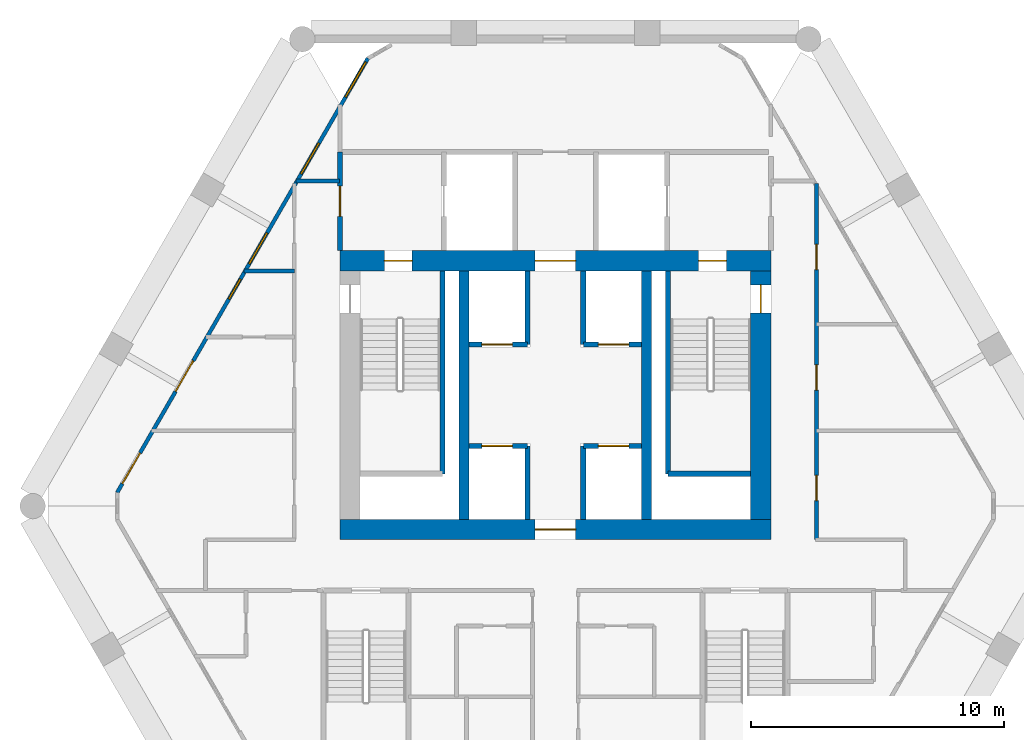
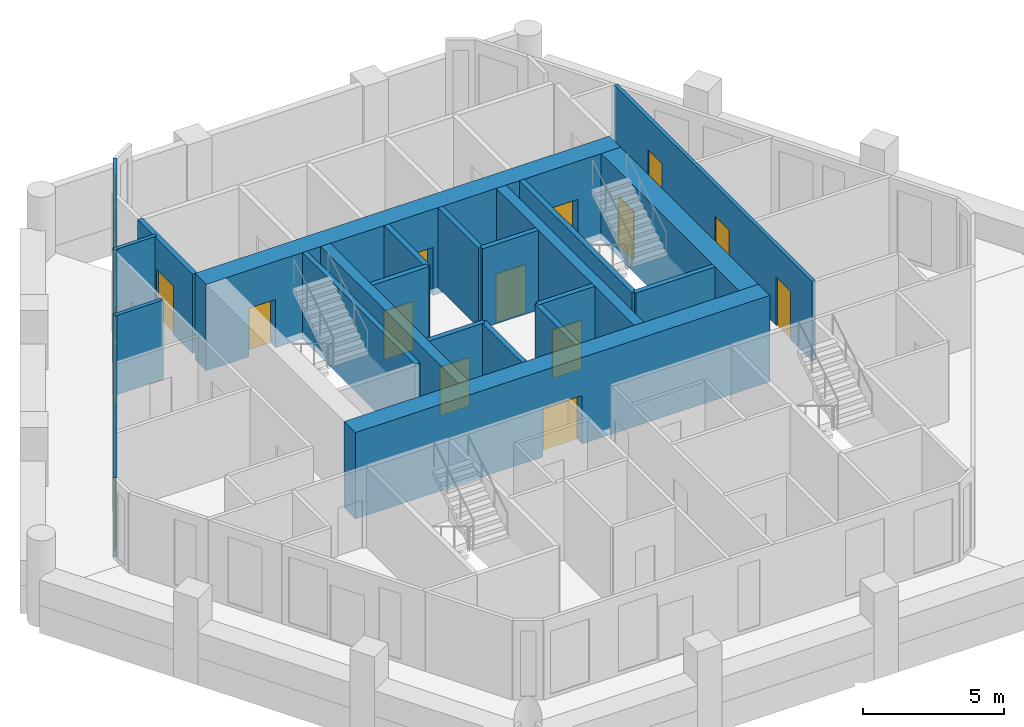
# One storey, part 4 of 7: 21 walls, 15 doors, 4 windows, 19 openings.
"""IFC4 building model written with IfcOpenShell, lengths in metres."""

from ifc_helpers import new_model, si_unit, direction, frame, frame_2d, origin, place, context, subcontext, project, spatial, rectangle, extrude, material, layer, layer_set, type_object, element, fill, save


model = new_model("IFC4")

# Units and contexts
model_context = context("Model", 3, precision=1e-05, world=origin(), true_north=direction((0.0, 1.0)))
body_context = subcontext(model_context, "Body", "Model", "MODEL_VIEW")
ifc_project = project(units=[si_unit("LENGTHUNIT", "METRE"), si_unit("AREAUNIT", "SQUARE_METRE"), si_unit("VOLUMEUNIT", "CUBIC_METRE"), si_unit("PLANEANGLEUNIT", "RADIAN"), si_unit("MASSUNIT", "GRAM", prefix="KILO")], contexts=[model_context])

# Site, building, storey
site_placement = place(None, origin())
site = spatial("IfcSite", under=ifc_project, at=site_placement, CompositionType="ELEMENT")
building_placement = place(site_placement, origin())
building = spatial("IfcBuilding", under=site, at=building_placement, Name="Ostrander Bayou Hotel Tower", CompositionType="ELEMENT")
storey_placement = place(building_placement, frame((0.0, 0.0, 168.25)))
storey = spatial("IfcBuildingStorey", under=building, at=storey_placement, Name="L41", CompositionType="ELEMENT", Elevation=168.25)

# Wall, opening, door
ifc_material_1 = material(Name="Concrete f'c 60 MPa", Category="concrete")
ifc_layer_1 = layer(ifc_material_1, 0.800048828125)
ifc_layer_set_1 = layer_set([ifc_layer_1], Name="CW7 core wall 800 mm f'c 60 MPa")
wall_type_1 = type_object("IfcWallType", Name="CW7 core wall 800 mm f'c 60 MPa", PredefinedType="SHEAR", material=ifc_layer_set_1)
wall_1_placement = place(storey_placement, frame((-8.5, -1.300048828125, -0.300048828125), z_axis=(0.0, 0.0, 1.0), x_axis=(1.0, 0.0, 0.0)))
wall_1 = element("IfcWall", 1, at=wall_1_placement, inside=storey, type_object=wall_type_1, Name="CW7 L41 S", PredefinedType="SHEAR", context=body_context, shape_type="SweptSolid", body=[
    extrude(rectangle(XDim=17.0, YDim=0.800048828125, at=frame_2d((8.5, 0.0))), origin(), (0.0, 0.0, 1.0), 3.75),
])
opening_1_placement = place(wall_1_placement, frame((7.699951171875, 0.0, 0.0)))
opening_1 = element("IfcOpeningElement", 2, at=opening_1_placement, cuts=wall_1, Name="Opening T41-005", PredefinedType="OPENING", context=body_context, shape_type="SweptSolid", body=[
    extrude(rectangle(XDim=1.60009765625, YDim=2.10009765625, at=frame_2d((0.800048828125, 1.050048828125))), frame((0.0, 0.39990234375, 0.0), z_axis=(0.0, -1.0, 0.0), x_axis=(1.0, 0.0, 0.0)), (0.0, 0.0, 1.0), 0.800048828125),
])
ifc_material_2 = material(Name="Timber door leaf", Category="wood")
door_type_1 = type_object("IfcDoorType", Name="D13 double door 1600 x 2100 mm, 1 hour", OperationType="SINGLE_SWING_LEFT", PredefinedType="DOOR", material=ifc_material_2)
door_1_placement = place(opening_1_placement, origin())
door_1 = element("IfcDoor", 3, at=door_1_placement, inside=storey, type_object=door_type_1, Name="dr:L41:005", OperationType="DOUBLE_DOOR_SINGLE_SWING", OverallHeight=2.10009765625, OverallWidth=1.60009765625, PredefinedType="DOOR", context=body_context, shape_type="SweptSolid", body=[
    extrude(rectangle(XDim=1.60009765625, YDim=2.10009765625, at=frame_2d((0.800048828125, 1.050048828125))), frame((0.0, 0.02490234375, 0.0), z_axis=(0.0, -1.0, 0.0), x_axis=(1.0, 0.0, 0.0)), (0.0, 0.0, 1.0), 0.050048828125),
])
fill(opening_1, door_1)

# Wall, openings, doors
wall_2_placement = place(storey_placement, frame((-8.5, 9.300048828125, -0.300048828125), z_axis=(0.0, 0.0, 1.0), x_axis=(1.0, 0.0, 0.0)))
wall_2 = element("IfcWall", 4, at=wall_2_placement, inside=storey, type_object=wall_type_1, Name="CW7 L41 N", PredefinedType="SHEAR", context=body_context, shape_type="SweptSolid", body=[
    extrude(rectangle(XDim=17.0, YDim=0.800048828125, at=frame_2d((8.5, 0.0))), origin(), (0.0, 0.0, 1.0), 3.75),
])
opening_2_placement = place(wall_2_placement, frame((7.699951171875, 0.0, 0.0)))
opening_2 = element("IfcOpeningElement", 5, at=opening_2_placement, cuts=wall_2, Name="Opening T41-006", PredefinedType="OPENING", context=body_context, shape_type="SweptSolid", body=[
    extrude(rectangle(XDim=1.60009765625, YDim=2.10009765625, at=frame_2d((0.800048828125, 1.050048828125))), frame((0.0, 0.39990234375, 0.0), z_axis=(0.0, -1.0, 0.0), x_axis=(1.0, 0.0, 0.0)), (0.0, 0.0, 1.0), 0.800048828125),
])
opening_3_placement = place(wall_2_placement, frame((1.75, 0.0, 0.0)))
opening_3 = element("IfcOpeningElement", 6, at=opening_3_placement, cuts=wall_2, Name="Opening T41-007", PredefinedType="OPENING", context=body_context, shape_type="SweptSolid", body=[
    extrude(rectangle(XDim=1.10009765625, YDim=2.10009765625, at=frame_2d((0.550048828125, 1.050048828125))), frame((0.0, 0.39990234375, 0.0), z_axis=(0.0, -1.0, 0.0), x_axis=(1.0, 0.0, 0.0)), (0.0, 0.0, 1.0), 0.800048828125),
])
opening_4_placement = place(wall_2_placement, frame((14.14990234375, 0.0, 0.0)))
opening_4 = element("IfcOpeningElement", 7, at=opening_4_placement, cuts=wall_2, Name="Opening T41-009", PredefinedType="OPENING", context=body_context, shape_type="SweptSolid", body=[
    extrude(rectangle(XDim=1.10009765625, YDim=2.10009765625, at=frame_2d((0.550048828125, 1.050048828125))), frame((0.0, 0.39990234375, 0.0), z_axis=(0.0, -1.0, 0.0), x_axis=(1.0, 0.0, 0.0)), (0.0, 0.0, 1.0), 0.800048828125),
])
door_2_placement = place(opening_2_placement, origin())
door_2 = element("IfcDoor", 8, at=door_2_placement, inside=storey, type_object=door_type_1, Name="dr:L41:006", OperationType="DOUBLE_DOOR_SINGLE_SWING", OverallHeight=2.10009765625, OverallWidth=1.60009765625, PredefinedType="DOOR", context=body_context, shape_type="SweptSolid", body=[
    extrude(rectangle(XDim=1.60009765625, YDim=2.10009765625, at=frame_2d((0.800048828125, 1.050048828125))), frame((0.0, 0.02490234375, 0.0), z_axis=(0.0, -1.0, 0.0), x_axis=(1.0, 0.0, 0.0)), (0.0, 0.0, 1.0), 0.050048828125),
])
fill(opening_2, door_2)
ifc_material_3 = material(Name="Timber door leaf", Category="wood")
door_type_2 = type_object("IfcDoorType", Name="D5 stair door 1100 x 2100 mm, 90 minute", OperationType="SINGLE_SWING_LEFT", PredefinedType="DOOR", material=ifc_material_3)
door_3_placement = place(opening_3_placement, origin())
door_3 = element("IfcDoor", 9, at=door_3_placement, inside=storey, type_object=door_type_2, Name="dr:L41:007", OperationType="SINGLE_SWING_LEFT", OverallHeight=2.10009765625, OverallWidth=1.10009765625, PredefinedType="DOOR", context=body_context, shape_type="SweptSolid", body=[
    extrude(rectangle(XDim=1.10009765625, YDim=2.10009765625, at=frame_2d((0.550048828125, 1.050048828125))), frame((0.0, 0.02490234375, 0.0), z_axis=(0.0, -1.0, 0.0), x_axis=(1.0, 0.0, 0.0)), (0.0, 0.0, 1.0), 0.050048828125),
])
fill(opening_3, door_3)
door_4_placement = place(opening_4_placement, origin())
door_4 = element("IfcDoor", 10, at=door_4_placement, inside=storey, type_object=door_type_2, Name="dr:L41:009", OperationType="SINGLE_SWING_RIGHT", OverallHeight=2.10009765625, OverallWidth=1.10009765625, PredefinedType="DOOR", context=body_context, shape_type="SweptSolid", body=[
    extrude(rectangle(XDim=1.10009765625, YDim=2.10009765625, at=frame_2d((0.550048828125, 1.050048828125))), frame((0.0, 0.02490234375, 0.0), z_axis=(0.0, -1.0, 0.0), x_axis=(1.0, 0.0, 0.0)), (0.0, 0.0, 1.0), 0.050048828125),
])
fill(opening_4, door_4)

# Wall, opening, door
ifc_material_4 = material(Name="Concrete f'c 60 MPa", Category="concrete")
ifc_layer_2 = layer(ifc_material_4, 0.800048828125)
ifc_layer_set_2 = layer_set([ifc_layer_2], Name="CW8 core spine wall 800 mm f'c 60 MPa")
wall_type_2 = type_object("IfcWallType", Name="CW8 core spine wall 800 mm f'c 60 MPa", PredefinedType="SHEAR", material=ifc_layer_set_2)
wall_3_placement = place(storey_placement, frame((8.10009765625, -0.89990234375, -0.300048828125), z_axis=(0.0, 0.0, 1.0), x_axis=(0.0, 1.0, 0.0)))
wall_3 = element("IfcWall", 11, at=wall_3_placement, inside=storey, type_object=wall_type_2, Name="CW8 L41 E", PredefinedType="SHEAR", context=body_context, shape_type="SweptSolid", body=[
    extrude(rectangle(XDim=9.7998046875, YDim=0.800048828125, at=frame_2d((4.89990234375, 0.0))), origin(), (0.0, 0.0, 1.0), 3.75),
])
opening_5_placement = place(wall_3_placement, frame((8.14990234375, 0.0, 0.0)))
opening_5 = element("IfcOpeningElement", 12, at=opening_5_placement, cuts=wall_3, Name="Opening T41-010", PredefinedType="OPENING", context=body_context, shape_type="SweptSolid", body=[
    extrude(rectangle(XDim=1.10009765625, YDim=2.10009765625, at=frame_2d((0.550048828125, 1.050048828125))), frame((0.0, 0.39990234375, 0.0), z_axis=(0.0, -1.0, 0.0), x_axis=(1.0, 0.0, 0.0)), (0.0, 0.0, 1.0), 0.800048828125),
])
door_5_placement = place(opening_5_placement, origin())
door_5 = element("IfcDoor", 13, at=door_5_placement, inside=storey, type_object=door_type_2, Name="dr:L41:010", OperationType="SINGLE_SWING_LEFT", OverallHeight=2.10009765625, OverallWidth=1.10009765625, PredefinedType="DOOR", context=body_context, shape_type="SweptSolid", body=[
    extrude(rectangle(XDim=1.10009765625, YDim=2.10009765625, at=frame_2d((0.550048828125, 1.050048828125))), frame((0.0, 0.02490234375, 0.0), z_axis=(0.0, -1.0, 0.0), x_axis=(1.0, 0.0, 0.0)), (0.0, 0.0, 1.0), 0.050048828125),
])
fill(opening_5, door_5)

# Walls
ifc_material_5 = material(Name="Concrete f'c 60 MPa", Category="concrete")
ifc_layer_3 = layer(ifc_material_5, 0.39990234375)
ifc_layer_set_3 = layer_set([ifc_layer_3], Name="CW9 core bank wall 400 mm f'c 60 MPa")
wall_type_3 = type_object("IfcWallType", Name="CW9 core bank wall 400 mm f'c 60 MPa", PredefinedType="SHEAR", material=ifc_layer_set_3)
for number, where, z_axis, x_axis, name in (
    (14, (-3.60009765625, -0.89990234375, -0.300048828125), (0.0, 0.0, 1.0), (0.0, 1.0, 0.0), "CW9 L41 CW"),
    (15, (3.60009765625, -0.89990234375, -0.300048828125), (0.0, 0.0, 1.0), (0.0, 1.0, 0.0), "CW9 L41 CE"),
):
    element("IfcWall", number, at=place(storey_placement, frame(where, z_axis=z_axis, x_axis=x_axis)), inside=storey, type_object=wall_type_3, Name=name, PredefinedType="SHEAR", context=body_context, shape_type="SweptSolid", body=[
        extrude(rectangle(XDim=9.7998046875, YDim=0.39990234375, at=frame_2d((4.89990234375, 0.0))), origin(), (0.0, 0.0, 1.0), 3.75),
    ])

# Wall, openings, doors, windows
ifc_material_6 = material(Name="Aluminium framed insulated wall", Category="aluminium")
ifc_layer_4 = layer(ifc_material_6, 0.14990234375)
ifc_layer_set_4 = layer_set([ifc_layer_4], Name="GW1 glass-line wall 150 mm")
wall_type_4 = type_object("IfcWallType", Name="GW1 glass-line wall 150 mm", PredefinedType="SOLIDWALL", material=ifc_layer_set_4)
wall_4_placement = place(storey_placement, frame((-7.392822265625, 17.29248046875, 0.0), z_axis=(0.0, 0.0, 1.0), x_axis=(-0.500001917853, -0.866024296509, 0.0)))
wall_4 = element("IfcWall", 16, at=wall_4_placement, inside=storey, type_object=wall_type_4, Name="GW1 L41 NW 1", PredefinedType="SOLIDWALL", context=body_context, shape_type="SweptSolid", body=[
    extrude(rectangle(XDim=19.78759765625, YDim=0.14990234375, at=frame_2d((9.893798828125, 0.0))), origin(), (0.0, 0.0, 1.0), 3.449951171875),
])
opening_6_placement = place(wall_4_placement, frame((3.867919921875, 0.0, 0.14990234375)))
opening_6 = element("IfcOpeningElement", 17, at=opening_6_placement, cuts=wall_4, Name="Opening W13", PredefinedType="OPENING", context=body_context, shape_type="SweptSolid", body=[
    extrude(rectangle(XDim=1.39990234375, YDim=2.85009765625, at=frame_2d((0.699951171875, 1.425048828125))), frame((0.0, 0.074951171875, 0.0), z_axis=(0.0, -1.0, 0.0), x_axis=(1.0, 0.0, 0.0)), (0.0, 0.0, 1.0), 0.14990234375),
])
opening_7_placement = place(wall_4_placement, frame((10.066650390625, 0.0, 0.14990234375)))
opening_7 = element("IfcOpeningElement", 18, at=opening_7_placement, cuts=wall_4, Name="Opening W17", PredefinedType="OPENING", context=body_context, shape_type="SweptSolid", body=[
    extrude(rectangle(XDim=0.89990234375, YDim=2.85009765625, at=frame_2d((0.449951171875, 1.425048828125))), frame((0.0, 0.074951171875, 0.0), z_axis=(0.0, -1.0, 0.0), x_axis=(1.0, 0.0, 0.0)), (0.0, 0.0, 1.0), 0.14990234375),
])
opening_8_placement = place(wall_4_placement, frame((7.966796875, 0.0, 0.14990234375)))
opening_8 = element("IfcOpeningElement", 19, at=opening_8_placement, cuts=wall_4, Name="Opening W13", PredefinedType="OPENING", context=body_context, shape_type="SweptSolid", body=[
    extrude(rectangle(XDim=1.39990234375, YDim=2.85009765625, at=frame_2d((0.699951171875, 1.425048828125))), frame((0.0, 0.074951171875, 0.0), z_axis=(0.0, -1.0, 0.0), x_axis=(1.0, 0.0, 0.0)), (0.0, 0.0, 1.0), 0.14990234375),
])
opening_9_placement = place(wall_4_placement, frame((13.779296875, 0.0, 0.0)))
opening_9 = element("IfcOpeningElement", 20, at=opening_9_placement, cuts=wall_4, Name="Opening T41-800", PredefinedType="OPENING", context=body_context, shape_type="SweptSolid", body=[
    extrude(rectangle(XDim=1.39990234375, YDim=2.39990234375, at=frame_2d((0.699951171875, 1.199951171875))), frame((0.0, 0.074951171875, 0.0), z_axis=(0.0, -1.0, 0.0), x_axis=(1.0, 0.0, 0.0)), (0.0, 0.0, 1.0), 0.14990234375),
])
opening_10_placement = place(wall_4_placement, frame((17.979248046875, 0.0, 0.0)))
opening_10 = element("IfcOpeningElement", 21, at=opening_10_placement, cuts=wall_4, Name="Opening T41-801", PredefinedType="OPENING", context=body_context, shape_type="SweptSolid", body=[
    extrude(rectangle(XDim=1.39990234375, YDim=2.39990234375, at=frame_2d((0.699951171875, 1.199951171875))), frame((0.0, 0.074951171875, 0.0), z_axis=(0.0, -1.0, 0.0), x_axis=(1.0, 0.0, 0.0)), (0.0, 0.0, 1.0), 0.14990234375),
])
opening_11_placement = place(wall_4_placement, frame((0.168212890625, 0.0, 0.14990234375)))
opening_11 = element("IfcOpeningElement", 22, at=opening_11_placement, cuts=wall_4, Name="Opening W3", PredefinedType="OPENING", context=body_context, shape_type="SweptSolid", body=[
    extrude(rectangle(XDim=1.60009765625, YDim=2.72998046875, at=frame_2d((0.800048828125, 1.364990234375))), frame((0.0, 0.074951171875, 0.0), z_axis=(0.0, -1.0, 0.0), x_axis=(1.0, 0.0, 0.0)), (0.0, 0.0, 1.0), 0.14990234375),
])
ifc_material_7 = material(Name="Aluminium and clear glass", Category="aluminium")
door_type_3 = type_object("IfcDoorType", Name="SD3 sliding glass door 1400 mm, zone 3", OperationType="SLIDING_TO_LEFT", PredefinedType="DOOR", material=ifc_material_7)
door_6_placement = place(opening_9_placement, origin())
door_6 = element("IfcDoor", 23, at=door_6_placement, inside=storey, type_object=door_type_3, Name="SD3 L41 NW 3", OperationType="SLIDING_TO_LEFT", OverallHeight=2.39990234375, OverallWidth=1.39990234375, PredefinedType="DOOR", context=body_context, shape_type="SweptSolid", body=[
    extrude(rectangle(XDim=1.39990234375, YDim=2.39990234375, at=frame_2d((0.699951171875, 1.199951171875))), frame((0.0, 0.02490234375, 0.0), z_axis=(0.0, -1.0, 0.0), x_axis=(1.0, 0.0, 0.0)), (0.0, 0.0, 1.0), 0.050048828125),
])
fill(opening_9, door_6)
door_7_placement = place(opening_10_placement, origin())
door_7 = element("IfcDoor", 24, at=door_7_placement, inside=storey, type_object=door_type_3, Name="SD3 L41 NW 4", OperationType="SLIDING_TO_RIGHT", OverallHeight=2.39990234375, OverallWidth=1.39990234375, PredefinedType="DOOR", context=body_context, shape_type="SweptSolid", body=[
    extrude(rectangle(XDim=1.39990234375, YDim=2.39990234375, at=frame_2d((0.699951171875, 1.199951171875))), frame((0.0, 0.02490234375, 0.0), z_axis=(0.0, -1.0, 0.0), x_axis=(1.0, 0.0, 0.0)), (0.0, 0.0, 1.0), 0.050048828125),
])
fill(opening_10, door_7)
ifc_material_8 = material(Name="Aluminium and clear glass", Category="aluminium")
window_type_1 = type_object("IfcWindowType", Name="W13 fixed window 1400 mm, bath bay, zone 3", PartitioningType="SINGLE_PANEL", PredefinedType="WINDOW", material=ifc_material_8)
window_1_placement = place(opening_6_placement, origin())
window_1 = element("IfcWindow", 25, at=window_1_placement, inside=storey, type_object=window_type_1, Name="W13 L41 NW 1", OverallHeight=2.85009765625, OverallWidth=1.39990234375, PartitioningType="SINGLE_PANEL", PredefinedType="WINDOW", context=body_context, shape_type="SweptSolid", body=[
    extrude(rectangle(XDim=1.39990234375, YDim=2.85009765625, at=frame_2d((0.699951171875, 1.425048828125))), frame((0.0, 0.030029296875, 0.0), z_axis=(0.0, -1.0, 0.0), x_axis=(1.0, 0.0, 0.0)), (0.0, 0.0, 1.0), 0.06005859375),
])
fill(opening_6, window_1)
window_2_placement = place(opening_8_placement, origin())
window_2 = element("IfcWindow", 26, at=window_2_placement, inside=storey, type_object=window_type_1, Name="W13 L41 NW 2", OverallHeight=2.85009765625, OverallWidth=1.39990234375, PartitioningType="SINGLE_PANEL", PredefinedType="WINDOW", context=body_context, shape_type="SweptSolid", body=[
    extrude(rectangle(XDim=1.39990234375, YDim=2.85009765625, at=frame_2d((0.699951171875, 1.425048828125))), frame((0.0, 0.030029296875, 0.0), z_axis=(0.0, -1.0, 0.0), x_axis=(1.0, 0.0, 0.0)), (0.0, 0.0, 1.0), 0.06005859375),
])
fill(opening_8, window_2)
ifc_material_9 = material(Name="Aluminium and clear glass", Category="aluminium")
window_type_2 = type_object("IfcWindowType", Name="W17 window 900 mm, zone 3", PartitioningType="SINGLE_PANEL", PredefinedType="WINDOW", material=ifc_material_9)
window_3_placement = place(opening_7_placement, origin())
window_3 = element("IfcWindow", 27, at=window_3_placement, inside=storey, type_object=window_type_2, Name="W17 L41 NW 2", OverallHeight=2.85009765625, OverallWidth=0.89990234375, PartitioningType="SINGLE_PANEL", PredefinedType="WINDOW", context=body_context, shape_type="SweptSolid", body=[
    extrude(rectangle(XDim=0.89990234375, YDim=2.85009765625, at=frame_2d((0.449951171875, 1.425048828125))), frame((0.0, 0.030029296875, 0.0), z_axis=(0.0, -1.0, 0.0), x_axis=(1.0, 0.0, 0.0)), (0.0, 0.0, 1.0), 0.06005859375),
])
fill(opening_7, window_3)
ifc_material_10 = material(Name="Aluminium and clear glass", Category="aluminium")
window_type_3 = type_object("IfcWindowType", Name="W3 fixed window 1600 mm, zone 3", PartitioningType="SINGLE_PANEL", PredefinedType="WINDOW", material=ifc_material_10)
window_4_placement = place(opening_11_placement, origin())
window_4 = element("IfcWindow", 28, at=window_4_placement, inside=storey, type_object=window_type_3, Name="W3 L41 NW E11", OverallHeight=2.72998046875, OverallWidth=1.60009765625, PartitioningType="SINGLE_PANEL", PredefinedType="WINDOW", context=body_context, shape_type="SweptSolid", body=[
    extrude(rectangle(XDim=1.60009765625, YDim=2.72998046875, at=frame_2d((0.800048828125, 1.364990234375))), frame((0.0, 0.030029296875, 0.0), z_axis=(0.0, -1.0, 0.0), x_axis=(1.0, 0.0, 0.0)), (0.0, 0.0, 1.0), 0.06005859375),
])
fill(opening_11, window_4)

# Wall, opening, door
ifc_material_11 = material(Name="Masonry block", Category="masonry")
ifc_layer_5 = layer(ifc_material_11, 0.199951171875)
ifc_layer_set_5 = layer_set([ifc_layer_5], Name="PT5 stair enclosure wall 200 mm masonry, 2 hour")
wall_type_5 = type_object("IfcWallType", Name="PT5 stair enclosure wall 200 mm masonry, 2 hour", PredefinedType="PARTITIONING", material=ifc_layer_set_5)
wall_5_placement = place(storey_placement, frame((-8.5, 9.699951171875, 0.0), z_axis=(0.0, 0.0, 1.0), x_axis=(0.0, 1.0, 0.0)))
wall_5 = element("IfcWall", 29, at=wall_5_placement, inside=storey, type_object=wall_type_5, Name="cs:L41:024", PredefinedType="PARTITIONING", context=body_context, shape_type="SweptSolid", body=[
    extrude(rectangle(XDim=3.900146484375, YDim=0.199951171875, at=frame_2d((1.9501953125, 0.0))), origin(), (0.0, 0.0, 1.0), 3.449951171875),
])
opening_12_placement = place(wall_5_placement, frame((1.35009765625, 0.0, 0.0)))
opening_12 = element("IfcOpeningElement", 30, at=opening_12_placement, cuts=wall_5, Name="Opening T41-014", PredefinedType="OPENING", context=body_context, shape_type="SweptSolid", body=[
    extrude(rectangle(XDim=1.199951171875, YDim=2.10009765625, at=frame_2d((0.60009765625, 1.050048828125))), frame((0.0, 0.10009765625, 0.0), z_axis=(0.0, -1.0, 0.0), x_axis=(1.0, 0.0, 0.0)), (0.0, 0.0, 1.0), 0.199951171875),
])
ifc_material_12 = material(Name="Timber door leaf", Category="wood")
door_type_4 = type_object("IfcDoorType", Name="D7 lobby door 1200 x 2100 mm, 1 hour", OperationType="SINGLE_SWING_LEFT", PredefinedType="DOOR", material=ifc_material_12)
door_8_placement = place(opening_12_placement, origin())
door_8 = element("IfcDoor", 31, at=door_8_placement, inside=storey, type_object=door_type_4, Name="dr:L41:014", OperationType="SINGLE_SWING_LEFT", OverallHeight=2.10009765625, OverallWidth=1.199951171875, PredefinedType="DOOR", context=body_context, shape_type="SweptSolid", body=[
    extrude(rectangle(XDim=1.199951171875, YDim=2.10009765625, at=frame_2d((0.60009765625, 1.050048828125))), frame((0.0, 0.02490234375, 0.0), z_axis=(0.0, -1.0, 0.0), x_axis=(1.0, 0.0, 0.0)), (0.0, 0.0, 1.0), 0.050048828125),
])
fill(opening_12, door_8)

ifc_material_13 = material(Name="Masonry block", Category="masonry")
ifc_layer_6 = layer(ifc_material_13, 0.199951171875)
ifc_layer_set_6 = layer_set([ifc_layer_6], Name="PT6 lift shaft wall 200 mm masonry, 2 hour")
wall_type_6 = type_object("IfcWallType", Name="PT6 lift shaft wall 200 mm masonry, 2 hour", PredefinedType="PARTITIONING", material=ifc_layer_set_6)
wall_6_placement = place(storey_placement, frame((-3.39990234375, 2.0, 0.0), z_axis=(0.0, 0.0, 1.0), x_axis=(1.0, 0.0, 0.0)))
wall_6 = element("IfcWall", 32, at=wall_6_placement, inside=storey, type_object=wall_type_6, Name="cs:L41:001", PredefinedType="PARTITIONING", context=body_context, shape_type="SweptSolid", body=[
    extrude(rectangle(XDim=2.2998046875, YDim=0.199951171875, at=frame_2d((1.14990234375, 0.0))), origin(), (0.0, 0.0, 1.0), 3.449951171875),
])
opening_13_placement = place(wall_6_placement, frame((0.5, 0.0, 0.0)))
opening_13 = element("IfcOpeningElement", 33, at=opening_13_placement, cuts=wall_6, Name="Opening T41-001", PredefinedType="OPENING", context=body_context, shape_type="SweptSolid", body=[
    extrude(rectangle(XDim=1.199951171875, YDim=2.10009765625, at=frame_2d((0.60009765625, 1.050048828125))), frame((0.0, 0.10009765625, 0.0), z_axis=(0.0, -1.0, 0.0), x_axis=(1.0, 0.0, 0.0)), (0.0, 0.0, 1.0), 0.199951171875),
])
ifc_material_14 = material(Name="Stainless steel sliding door", Category="steel")
door_type_5 = type_object("IfcDoorType", Name="LD1 lift landing door 1200 x 2100 mm", OperationType="SINGLE_SWING_LEFT", PredefinedType="DOOR", material=ifc_material_14)
door_9_placement = place(opening_13_placement, origin())
door_9 = element("IfcDoor", 34, at=door_9_placement, inside=storey, type_object=door_type_5, Name="dr:L41:001", OperationType="SLIDING_TO_LEFT", OverallHeight=2.10009765625, OverallWidth=1.199951171875, PredefinedType="DOOR", context=body_context, shape_type="SweptSolid", body=[
    extrude(rectangle(XDim=1.199951171875, YDim=2.10009765625, at=frame_2d((0.60009765625, 1.050048828125))), frame((0.0, 0.02490234375, 0.0), z_axis=(0.0, -1.0, 0.0), x_axis=(1.0, 0.0, 0.0)), (0.0, 0.0, 1.0), 0.050048828125),
])
fill(opening_13, door_9)

wall_7_placement = place(storey_placement, frame((-3.39990234375, 6.0, 0.0), z_axis=(0.0, 0.0, 1.0), x_axis=(1.0, 0.0, 0.0)))
wall_7 = element("IfcWall", 35, at=wall_7_placement, inside=storey, type_object=wall_type_6, Name="cs:L41:002", PredefinedType="PARTITIONING", context=body_context, shape_type="SweptSolid", body=[
    extrude(rectangle(XDim=2.2998046875, YDim=0.199951171875, at=frame_2d((1.14990234375, 0.0))), origin(), (0.0, 0.0, 1.0), 3.449951171875),
])
opening_14_placement = place(wall_7_placement, frame((0.5, 0.0, 0.0)))
opening_14 = element("IfcOpeningElement", 36, at=opening_14_placement, cuts=wall_7, Name="Opening T41-003", PredefinedType="OPENING", context=body_context, shape_type="SweptSolid", body=[
    extrude(rectangle(XDim=1.199951171875, YDim=2.10009765625, at=frame_2d((0.60009765625, 1.050048828125))), frame((0.0, 0.10009765625, 0.0), z_axis=(0.0, -1.0, 0.0), x_axis=(1.0, 0.0, 0.0)), (0.0, 0.0, 1.0), 0.199951171875),
])
door_10_placement = place(opening_14_placement, origin())
door_10 = element("IfcDoor", 37, at=door_10_placement, inside=storey, type_object=door_type_5, Name="dr:L41:003", OperationType="SLIDING_TO_LEFT", OverallHeight=2.10009765625, OverallWidth=1.199951171875, PredefinedType="DOOR", context=body_context, shape_type="SweptSolid", body=[
    extrude(rectangle(XDim=1.199951171875, YDim=2.10009765625, at=frame_2d((0.60009765625, 1.050048828125))), frame((0.0, 0.02490234375, 0.0), z_axis=(0.0, -1.0, 0.0), x_axis=(1.0, 0.0, 0.0)), (0.0, 0.0, 1.0), 0.050048828125),
])
fill(opening_14, door_10)

wall_8_placement = place(storey_placement, frame((1.10009765625, 2.0, 0.0), z_axis=(0.0, 0.0, 1.0), x_axis=(1.0, 0.0, 0.0)))
wall_8 = element("IfcWall", 38, at=wall_8_placement, inside=storey, type_object=wall_type_6, Name="cs:L41:003", PredefinedType="PARTITIONING", context=body_context, shape_type="SweptSolid", body=[
    extrude(rectangle(XDim=2.2998046875, YDim=0.199951171875, at=frame_2d((1.14990234375, 0.0))), origin(), (0.0, 0.0, 1.0), 3.449951171875),
])
opening_15_placement = place(wall_8_placement, frame((0.60009765625, 0.0, 0.0)))
opening_15 = element("IfcOpeningElement", 39, at=opening_15_placement, cuts=wall_8, Name="Opening T41-002", PredefinedType="OPENING", context=body_context, shape_type="SweptSolid", body=[
    extrude(rectangle(XDim=1.199951171875, YDim=2.10009765625, at=frame_2d((0.60009765625, 1.050048828125))), frame((0.0, 0.10009765625, 0.0), z_axis=(0.0, -1.0, 0.0), x_axis=(1.0, 0.0, 0.0)), (0.0, 0.0, 1.0), 0.199951171875),
])
door_11_placement = place(opening_15_placement, origin())
door_11 = element("IfcDoor", 40, at=door_11_placement, inside=storey, type_object=door_type_5, Name="dr:L41:002", OperationType="SLIDING_TO_LEFT", OverallHeight=2.10009765625, OverallWidth=1.199951171875, PredefinedType="DOOR", context=body_context, shape_type="SweptSolid", body=[
    extrude(rectangle(XDim=1.199951171875, YDim=2.10009765625, at=frame_2d((0.60009765625, 1.050048828125))), frame((0.0, 0.02490234375, 0.0), z_axis=(0.0, -1.0, 0.0), x_axis=(1.0, 0.0, 0.0)), (0.0, 0.0, 1.0), 0.050048828125),
])
fill(opening_15, door_11)

wall_9_placement = place(storey_placement, frame((1.10009765625, 6.0, 0.0), z_axis=(0.0, 0.0, 1.0), x_axis=(1.0, 0.0, 0.0)))
wall_9 = element("IfcWall", 41, at=wall_9_placement, inside=storey, type_object=wall_type_6, Name="cs:L41:004", PredefinedType="PARTITIONING", context=body_context, shape_type="SweptSolid", body=[
    extrude(rectangle(XDim=2.2998046875, YDim=0.199951171875, at=frame_2d((1.14990234375, 0.0))), origin(), (0.0, 0.0, 1.0), 3.449951171875),
])
opening_16_placement = place(wall_9_placement, frame((0.60009765625, 0.0, 0.0)))
opening_16 = element("IfcOpeningElement", 42, at=opening_16_placement, cuts=wall_9, Name="Opening T41-004", PredefinedType="OPENING", context=body_context, shape_type="SweptSolid", body=[
    extrude(rectangle(XDim=1.199951171875, YDim=2.10009765625, at=frame_2d((0.60009765625, 1.050048828125))), frame((0.0, 0.10009765625, 0.0), z_axis=(0.0, -1.0, 0.0), x_axis=(1.0, 0.0, 0.0)), (0.0, 0.0, 1.0), 0.199951171875),
])
door_12_placement = place(opening_16_placement, origin())
door_12 = element("IfcDoor", 43, at=door_12_placement, inside=storey, type_object=door_type_5, Name="dr:L41:004", OperationType="SLIDING_TO_LEFT", OverallHeight=2.10009765625, OverallWidth=1.199951171875, PredefinedType="DOOR", context=body_context, shape_type="SweptSolid", body=[
    extrude(rectangle(XDim=1.199951171875, YDim=2.10009765625, at=frame_2d((0.60009765625, 1.050048828125))), frame((0.0, 0.02490234375, 0.0), z_axis=(0.0, -1.0, 0.0), x_axis=(1.0, 0.0, 0.0)), (0.0, 0.0, 1.0), 0.050048828125),
])
fill(opening_16, door_12)

# Walls
for number, where, z_axis, x_axis, name in (
    (44, (-1.10009765625, -0.89990234375, 0.0), (0.0, 0.0, 1.0), (0.0, 1.0, 0.0), "cs:L41:005"),
    (45, (1.10009765625, -0.89990234375, 0.0), (0.0, 0.0, 1.0), (0.0, 1.0, 0.0), "cs:L41:006"),
    (46, (-1.10009765625, 6.0, 0.0), (0.0, 0.0, 1.0), (0.0, 1.0, 0.0), "cs:L41:007"),
    (47, (1.10009765625, 6.0, 0.0), (0.0, 0.0, 1.0), (0.0, 1.0, 0.0), "cs:L41:008"),
):
    element("IfcWall", number, at=place(storey_placement, frame(where, z_axis=z_axis, x_axis=x_axis)), inside=storey, type_object=wall_type_6, Name=name, PredefinedType="PARTITIONING", context=body_context, shape_type="SweptSolid", body=[
        extrude(rectangle(XDim=2.89990234375, YDim=0.199951171875, at=frame_2d((1.449951171875, 0.0))), origin(), (0.0, 0.0, 1.0), 3.449951171875),
    ])
ifc_material_15 = material(Name="Gypsum board partition", Category="finish")
ifc_layer_7 = layer(ifc_material_15, 0.14990234375)
ifc_layer_set_7 = layer_set([ifc_layer_7], Name="PT8 service band wall 150 mm, 1 hour")
wall_type_7 = type_object("IfcWallType", Name="PT8 service band wall 150 mm, 1 hour", PredefinedType="PARTITIONING", material=ifc_layer_set_7)
wall_10_placement = place(storey_placement, frame((-12.2900390625, 8.89990234375, 0.0), z_axis=(0.0, 0.0, 1.0), x_axis=(1.0, 0.0, 0.0)))
element("IfcWall", 48, at=wall_10_placement, inside=storey, type_object=wall_type_7, Name="gw:L41:020", PredefinedType="PARTITIONING", context=body_context, shape_type="SweptSolid", body=[
    extrude(rectangle(XDim=1.989990234375, YDim=0.14990234375, at=frame_2d((0.9951171875, 0.0))), origin(), (0.0, 0.0, 1.0), 3.449951171875),
])
wall_11_placement = place(storey_placement, frame((-10.240966796875, 12.449951171875, 0.0), z_axis=(0.0, 0.0, 1.0), x_axis=(1.0, 0.0, 0.0)))
element("IfcWall", 49, at=wall_11_placement, inside=storey, type_object=wall_type_7, Name="gw:L41:021", PredefinedType="PARTITIONING", context=body_context, shape_type="SweptSolid", body=[
    extrude(rectangle(XDim=1.73095703125, YDim=0.14990234375, at=frame_2d((0.865478515625, 0.0))), origin(), (0.0, 0.0, 1.0), 3.449951171875),
])

# Wall, openings, doors
wall_12_placement = place(storey_placement, frame((10.300048828125, -1.699951171875, 0.0), z_axis=(0.0, 0.0, 1.0), x_axis=(0.0, 1.0, 0.0)))
wall_12 = element("IfcWall", 50, at=wall_12_placement, inside=storey, type_object=wall_type_7, Name="gw:L41:025", PredefinedType="PARTITIONING", context=body_context, shape_type="SweptSolid", body=[
    extrude(rectangle(XDim=14.046875, YDim=0.14990234375, at=frame_2d((7.0234375, 0.0))), origin(), (0.0, 0.0, 1.0), 3.449951171875),
])
opening_17_placement = place(wall_12_placement, frame((1.535888671875, 0.0, 0.0)))
opening_17 = element("IfcOpeningElement", 51, at=opening_17_placement, cuts=wall_12, Name="Opening T41-416", PredefinedType="OPENING", context=body_context, shape_type="SweptSolid", body=[
    extrude(rectangle(XDim=1.0, YDim=2.10009765625, at=frame_2d((0.5, 1.050048828125))), frame((0.0, 0.074951171875, 0.0), z_axis=(0.0, -1.0, 0.0), x_axis=(1.0, 0.0, 0.0)), (0.0, 0.0, 1.0), 0.14990234375),
])
opening_18_placement = place(wall_12_placement, frame((5.89990234375, 0.0, 0.0)))
opening_18 = element("IfcOpeningElement", 52, at=opening_18_placement, cuts=wall_12, Name="Opening T41-417", PredefinedType="OPENING", context=body_context, shape_type="SweptSolid", body=[
    extrude(rectangle(XDim=1.0, YDim=2.10009765625, at=frame_2d((0.5, 1.050048828125))), frame((0.0, 0.074951171875, 0.0), z_axis=(0.0, -1.0, 0.0), x_axis=(1.0, 0.0, 0.0)), (0.0, 0.0, 1.0), 0.14990234375),
])
opening_19_placement = place(wall_12_placement, frame((10.652099609375, 0.0, 0.0)))
opening_19 = element("IfcOpeningElement", 53, at=opening_19_placement, cuts=wall_12, Name="Opening T41-418", PredefinedType="OPENING", context=body_context, shape_type="SweptSolid", body=[
    extrude(rectangle(XDim=1.0, YDim=2.10009765625, at=frame_2d((0.5, 1.050048828125))), frame((0.0, 0.074951171875, 0.0), z_axis=(0.0, -1.0, 0.0), x_axis=(1.0, 0.0, 0.0)), (0.0, 0.0, 1.0), 0.14990234375),
])
ifc_material_16 = material(Name="Timber door leaf", Category="wood")
door_type_6 = type_object("IfcDoorType", Name="D15 room door 1000 x 2100 mm", OperationType="SINGLE_SWING_LEFT", PredefinedType="DOOR", material=ifc_material_16)
door_13_placement = place(opening_17_placement, origin())
door_13 = element("IfcDoor", 54, at=door_13_placement, inside=storey, type_object=door_type_6, Name="dr:L41:416", OperationType="SINGLE_SWING_LEFT", OverallHeight=2.10009765625, OverallWidth=1.0, PredefinedType="DOOR", context=body_context, shape_type="SweptSolid", body=[
    extrude(rectangle(XDim=1.0, YDim=2.10009765625, at=frame_2d((0.5, 1.050048828125))), frame((0.0, 0.02490234375, 0.0), z_axis=(0.0, -1.0, 0.0), x_axis=(1.0, 0.0, 0.0)), (0.0, 0.0, 1.0), 0.050048828125),
])
fill(opening_17, door_13)
ifc_material_17 = material(Name="Timber door leaf", Category="wood")
door_type_7 = type_object("IfcDoorType", Name="D9 service door 1000 x 2100 mm, 30 minute", OperationType="SINGLE_SWING_LEFT", PredefinedType="DOOR", material=ifc_material_17)
door_14_placement = place(opening_18_placement, origin())
door_14 = element("IfcDoor", 55, at=door_14_placement, inside=storey, type_object=door_type_7, Name="dr:L41:417", OperationType="SINGLE_SWING_LEFT", OverallHeight=2.10009765625, OverallWidth=1.0, PredefinedType="DOOR", context=body_context, shape_type="SweptSolid", body=[
    extrude(rectangle(XDim=1.0, YDim=2.10009765625, at=frame_2d((0.5, 1.050048828125))), frame((0.0, 0.02490234375, 0.0), z_axis=(0.0, -1.0, 0.0), x_axis=(1.0, 0.0, 0.0)), (0.0, 0.0, 1.0), 0.050048828125),
])
fill(opening_18, door_14)
door_15_placement = place(opening_19_placement, origin())
door_15 = element("IfcDoor", 56, at=door_15_placement, inside=storey, type_object=door_type_7, Name="dr:L41:418", OperationType="SINGLE_SWING_LEFT", OverallHeight=2.10009765625, OverallWidth=1.0, PredefinedType="DOOR", context=body_context, shape_type="SweptSolid", body=[
    extrude(rectangle(XDim=1.0, YDim=2.10009765625, at=frame_2d((0.5, 1.050048828125))), frame((0.0, 0.02490234375, 0.0), z_axis=(0.0, -1.0, 0.0), x_axis=(1.0, 0.0, 0.0)), (0.0, 0.0, 1.0), 0.050048828125),
])
fill(opening_19, door_15)

# Walls
ifc_material_18 = material(Name="Concrete f'c 45 MPa", Category="concrete")
ifc_layer_8 = layer(ifc_material_18, 0.199951171875)
ifc_layer_set_8 = layer_set([ifc_layer_8], Name="SW5 stair enclosure wall 200 mm f'c 45 MPa")
wall_type_8 = type_object("IfcWallType", Name="SW5 stair enclosure wall 200 mm f'c 45 MPa", PredefinedType="SOLIDWALL", material=ifc_layer_set_8)
for number, where, z_axis, x_axis, name in (
    (57, (-4.449951171875, 0.89990234375, -0.300048828125), (0.0, 0.0, 1.0), (0.0, 1.0, 0.0), "cs:L41:009"),
    (58, (4.449951171875, 0.89990234375, -0.300048828125), (0.0, 0.0, 1.0), (0.0, 1.0, 0.0), "cs:L41:011"),
):
    element("IfcWall", number, at=place(storey_placement, frame(where, z_axis=z_axis, x_axis=x_axis)), inside=storey, type_object=wall_type_8, Name=name, PredefinedType="SOLIDWALL", context=body_context, shape_type="SweptSolid", body=[
        extrude(rectangle(XDim=8.0, YDim=0.199951171875, at=frame_2d((4.0, 0.0))), origin(), (0.0, 0.0, 1.0), 3.75),
    ])
wall_13_placement = place(storey_placement, frame((4.449951171875, 0.89990234375, -0.300048828125), z_axis=(0.0, 0.0, 1.0), x_axis=(1.0, 0.0, 0.0)))
element("IfcWall", 59, at=wall_13_placement, inside=storey, type_object=wall_type_8, Name="cs:L41:012", PredefinedType="SOLIDWALL", context=body_context, shape_type="SweptSolid", body=[
    extrude(rectangle(XDim=3.25, YDim=0.199951171875, at=frame_2d((1.625, 0.0))), origin(), (0.0, 0.0, 1.0), 3.75),
])

save(model, "model.ifc")
